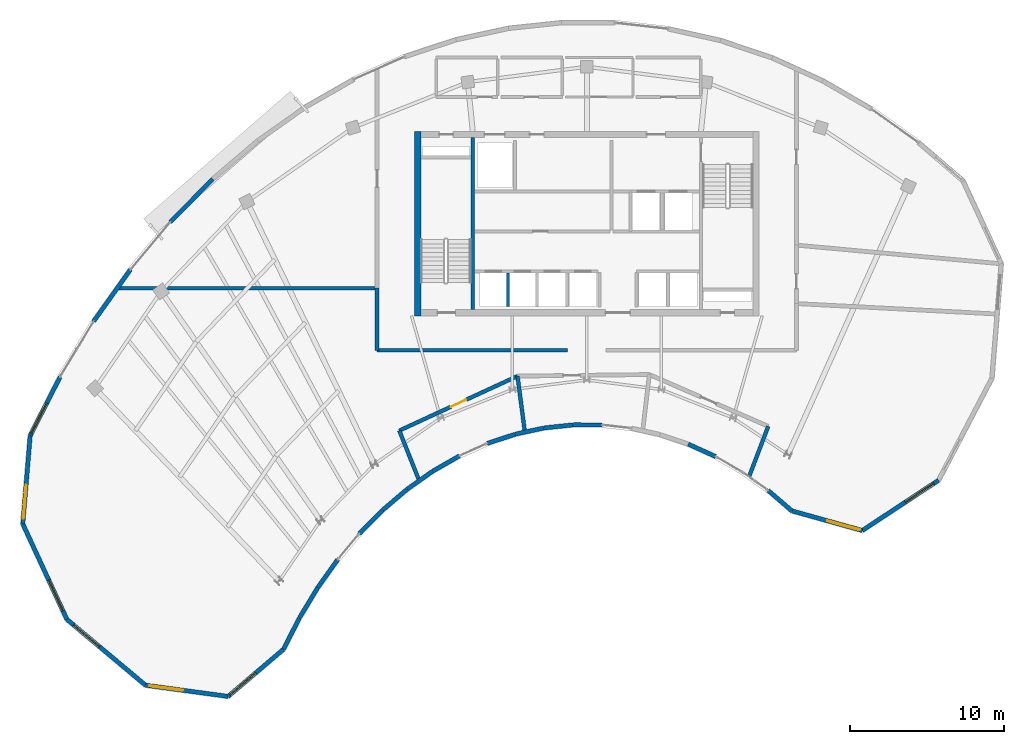
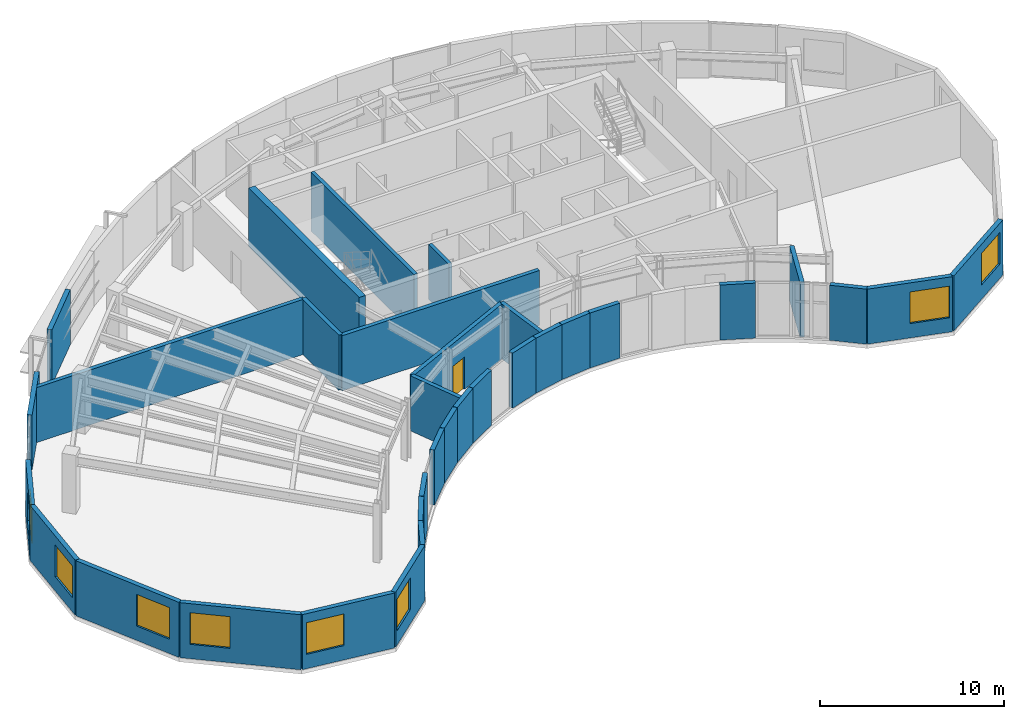
# One storey, part 8 of 12: 33 walls, 8 windows, 1 door, 9 openings.
"""IFC4 building model written with IfcOpenShell, lengths in metres."""

from ifc_helpers import new_model, si_unit, direction, frame, frame_2d, origin, place, context, subcontext, project, spatial, rectangle, extrude, source, transform, mapped, material, layer, layer_set, type_object, type_shapes, element, fill, save


model = new_model("IFC4")

# Units and contexts
model_context = context("Model", 3, precision=1e-05, world=origin(), true_north=direction((0.0, 1.0)))
body_context = subcontext(model_context, "Body", "Model", "MODEL_VIEW")
ifc_project = project(units=[si_unit("LENGTHUNIT", "METRE"), si_unit("AREAUNIT", "SQUARE_METRE"), si_unit("VOLUMEUNIT", "CUBIC_METRE"), si_unit("PLANEANGLEUNIT", "RADIAN"), si_unit("MASSUNIT", "GRAM", prefix="KILO")], contexts=[model_context])

# Site, building, storey
site_placement = place(None, origin())
site = spatial("IfcSite", under=ifc_project, at=site_placement, CompositionType="ELEMENT")
building_placement = place(site_placement, origin())
building = spatial("IfcBuilding", under=site, at=building_placement, Name="Breltana Convention Tower", CompositionType="ELEMENT")
storey_placement = place(building_placement, frame((0.0, 0.0, 260.10009765625)))
storey = spatial("IfcBuildingStorey", under=building, at=storey_placement, Name="L63", CompositionType="ELEMENT", Elevation=260.10009765625)

# Walls
ifc_material_1 = material(Name="Concrete C50/60", Category="concrete")
ifc_layer_1 = layer(ifc_material_1, 0.39990234375, Name="Concrete C50/60")
ifc_layer_set_1 = layer_set([ifc_layer_1], Name="Concrete C50/60")
wall_type_1 = type_object("IfcWallType", Name="SW-CORE-400", PredefinedType="SHEAR", material=ifc_layer_set_1)
shared_shape_1 = source(origin(), body_context, "Body", "SweptSolid", [
    extrude(rectangle(XDim=12.0, YDim=0.39990234375, at=frame_2d((6.0, 0.0))), origin(), (0.0, 0.0, 1.0), 3.89990234375),
])
wall_1_placement = place(storey_placement, frame((37.0, 60.199951171875, 0.0), z_axis=(0.0, 0.0, 1.0), x_axis=(0.0, 1.0, 0.0)))
element("IfcWall", 1, at=wall_1_placement, inside=storey, type_object=wall_type_1, Name="L63 West Core Shear Wall", PredefinedType="SHEAR", context=body_context, shape_type="MappedRepresentation", body=[
    mapped(shared_shape_1, transform((0.0, 0.0, 0.0), scale=1.0)),
])
shared_shape_2 = source(origin(), body_context, "Body", "SweptSolid", [
    extrude(rectangle(XDim=11.199951171875, YDim=0.219970703125, at=frame_2d((5.60009765625, 0.0))), origin(), (0.0, 0.0, 1.0), 3.89990234375),
])
wall_2_placement = place(storey_placement, frame((40.580078125, 60.60009765625, 0.0), z_axis=(0.0, 0.0, 1.0), x_axis=(0.0, 1.0, 0.0)))
element("IfcWall", 2, at=wall_2_placement, inside=storey, type_object=wall_type_1, Name="L63 Core West Stair Spine Wall", PredefinedType="SHEAR", context=body_context, shape_type="MappedRepresentation", body=[
    mapped(shared_shape_2, transform((0.0, 0.0, 0.0), scale=1.0)),
])

# Wall, opening, window
ifc_material_2 = material(Name="Limestone Buff Insulated Wall", Category="masonry")
ifc_layer_2 = layer(ifc_material_2, 0.280029296875, Name="Limestone Buff Insulated Wall")
ifc_layer_set_2 = layer_set([ifc_layer_2], Name="Limestone Buff Insulated Wall")
wall_type_2 = type_object("IfcWallType", Name="WL-EXT-NOSE-280", PredefinedType="SOLIDWALL", material=ifc_layer_set_2)
shared_shape_3 = source(origin(), body_context, "Body", "SweptSolid", [
    extrude(rectangle(XDim=5.9423828125, YDim=0.280029296875, at=frame_2d((2.97119140625, 0.0))), origin(), (0.0, 0.0, 1.0), 3.64990234375),
])
wall_3_placement = place(storey_placement, frame((70.87158203125, 49.513427734375, 0.0), z_axis=(0.0, 0.0, 1.0), x_axis=(-0.834871099304, -0.550445499162, 0.0)))
wall_3 = element("IfcWall", 3, at=wall_3_placement, inside=storey, type_object=wall_type_2, Name="L63 curved limestone nose wall E4", PredefinedType="SOLIDWALL", context=body_context, shape_type="MappedRepresentation", body=[
    mapped(shared_shape_3, transform((0.0, 0.0, 0.0), scale=1.0)),
])
opening_1_placement = place(wall_3_placement, frame((0.385498046875, 0.0, 0.949951171875)))
opening_1 = element("IfcOpeningElement", 4, at=opening_1_placement, cuts=wall_3, Name="Opening W-03", PredefinedType="OPENING", context=body_context, shape_type="SweptSolid", body=[
    extrude(rectangle(XDim=2.199951171875, YDim=2.10009765625, at=frame_2d((1.10009765625, 1.050048828125))), frame((0.0, 0.14990234375, 0.0), z_axis=(0.0, -1.0, 0.0), x_axis=(1.0, 0.0, 0.0)), (0.0, 0.0, 1.0), 0.300048828125),
])
ifc_material_3 = material(Name="Glass Low-E Insulated Window", Category="glass")
window_type = type_object("IfcWindowType", Name="WN-NOSE-2200X2100", PartitioningType="TRIPLE_PANEL_VERTICAL", PredefinedType="WINDOW", material=ifc_material_3)
shared_shape_4 = source(origin(), body_context, "Body", "SweptSolid", [
    extrude(rectangle(XDim=2.199951171875, YDim=2.10009765625, at=frame_2d((1.10009765625, 1.050048828125))), frame((0.0, 0.030029296875, 0.0), z_axis=(0.0, -1.0, 0.0), x_axis=(1.0, 0.0, 0.0)), (0.0, 0.0, 1.0), 0.06005859375),
])
type_shapes(window_type, [shared_shape_4])
window_1_placement = place(opening_1_placement, origin())
window_1 = element("IfcWindow", 5, at=window_1_placement, inside=storey, type_object=window_type, Name="L63 nose window E4", OverallHeight=2.10009765625, OverallWidth=2.199951171875, PartitioningType="TRIPLE_PANEL_VERTICAL", PredefinedType="WINDOW", context=body_context, shape_type="MappedRepresentation", body=[
    mapped(shared_shape_4, transform((0.0, 0.0, 0.0), scale=1.0)),
])
fill(opening_1, window_1)

shared_shape_5 = source(origin(), body_context, "Body", "SweptSolid", [
    extrude(rectangle(XDim=4.74853515625, YDim=0.280029296875, at=frame_2d((2.374267578125, 0.0))), origin(), (0.0, 0.0, 1.0), 3.64990234375),
])
wall_4_placement = place(storey_placement, frame((65.910400390625, 46.242431640625, 0.0), z_axis=(0.0, 0.0, 1.0), x_axis=(-0.963210849911, 0.268746829961, 0.0)))
wall_4 = element("IfcWall", 6, at=wall_4_placement, inside=storey, type_object=wall_type_2, Name="L63 curved limestone nose wall E5", PredefinedType="SOLIDWALL", context=body_context, shape_type="MappedRepresentation", body=[
    mapped(shared_shape_5, transform((0.0, 0.0, 0.0), scale=1.0)),
])
opening_2_placement = place(wall_4_placement, frame((0.159912109375, 0.0, 0.949951171875)))
opening_2 = element("IfcOpeningElement", 7, at=opening_2_placement, cuts=wall_4, Name="Opening W-03", PredefinedType="OPENING", context=body_context, shape_type="SweptSolid", body=[
    extrude(rectangle(XDim=2.199951171875, YDim=2.10009765625, at=frame_2d((1.10009765625, 1.050048828125))), frame((0.0, 0.14990234375, 0.0), z_axis=(0.0, -1.0, 0.0), x_axis=(1.0, 0.0, 0.0)), (0.0, 0.0, 1.0), 0.300048828125),
])
window_2_placement = place(opening_2_placement, origin())
window_2 = element("IfcWindow", 8, at=window_2_placement, inside=storey, type_object=window_type, Name="L63 nose window E5", OverallHeight=2.10009765625, OverallWidth=2.199951171875, PartitioningType="TRIPLE_PANEL_VERTICAL", PredefinedType="WINDOW", context=body_context, shape_type="MappedRepresentation", body=[
    mapped(shared_shape_4, transform((0.0, 0.0, 0.0), scale=1.0)),
])
fill(opening_2, window_2)

# Walls
shared_shape_6 = source(origin(), body_context, "Body", "SweptSolid", [
    extrude(rectangle(XDim=2.040283203125, YDim=0.280029296875, at=frame_2d((1.02001953125, 0.0))), origin(), (0.0, 0.0, 1.0), 3.64990234375),
])
wall_5_placement = place(storey_placement, frame((61.336669921875, 47.5185546875, 0.0), z_axis=(0.0, 0.0, 1.0), x_axis=(-0.758402847119, 0.651786101019, 0.0)))
element("IfcWall", 9, at=wall_5_placement, inside=storey, type_object=wall_type_2, Name="L63 curved limestone nose wall E6", PredefinedType="SOLIDWALL", context=body_context, shape_type="MappedRepresentation", body=[
    mapped(shared_shape_6, transform((0.0, 0.0, 0.0), scale=1.0)),
])
shared_shape_7 = source(origin(), body_context, "Body", "SweptSolid", [
    extrude(rectangle(XDim=1.94970703125, YDim=0.280029296875, at=frame_2d((0.974853515625, 0.0))), origin(), (0.0, 0.0, 1.0), 3.64990234375),
])
wall_6_placement = place(storey_placement, frame((56.37158203125, 51.05224609375, 0.0), z_axis=(0.0, 0.0, 1.0), x_axis=(-0.910507945155, 0.413491574048, 0.0)))
element("IfcWall", 10, at=wall_6_placement, inside=storey, type_object=wall_type_2, Name="L63 curved limestone nose wall E7", PredefinedType="SOLIDWALL", context=body_context, shape_type="MappedRepresentation", body=[
    mapped(shared_shape_7, transform((0.0, 0.0, 0.0), scale=1.0)),
])
shared_shape_8 = source(origin(), body_context, "Body", "SweptSolid", [
    extrude(rectangle(XDim=1.874267578125, YDim=0.280029296875, at=frame_2d((0.93701171875, 0.0))), origin(), (0.0, 0.0, 1.0), 3.64990234375),
])
wall_7_placement = place(storey_placement, frame((48.988037109375, 53.105712890625, 0.0), z_axis=(0.0, 0.0, 1.0), x_axis=(-0.999995893899, 0.002865690982, 0.0)))
element("IfcWall", 11, at=wall_7_placement, inside=storey, type_object=wall_type_2, Name="L63 curved limestone nose wall E10", PredefinedType="SOLIDWALL", context=body_context, shape_type="MappedRepresentation", body=[
    mapped(shared_shape_8, transform((0.0, 0.0, 0.0), scale=1.0)),
])
shared_shape_9 = source(origin(), body_context, "Body", "SweptSolid", [
    extrude(rectangle(XDim=1.87890625, YDim=0.280029296875, at=frame_2d((0.939453125, 0.0))), origin(), (0.0, 0.0, 1.0), 3.64990234375),
])
wall_8_placement = place(storey_placement, frame((47.09423828125, 53.110107421875, 0.0), z_axis=(0.0, 0.0, 1.0), x_axis=(-0.994431872813, -0.105381451568, 0.0)))
element("IfcWall", 12, at=wall_8_placement, inside=storey, type_object=wall_type_2, Name="L63 curved limestone nose wall E11", PredefinedType="SOLIDWALL", context=body_context, shape_type="MappedRepresentation", body=[
    mapped(shared_shape_9, transform((0.0, 0.0, 0.0), scale=1.0)),
])
shared_shape_10 = source(origin(), body_context, "Body", "SweptSolid", [
    extrude(rectangle(XDim=1.89306640625, YDim=0.280029296875, at=frame_2d((0.946533203125, 0.0))), origin(), (0.0, 0.0, 1.0), 3.64990234375),
])
wall_9_placement = place(storey_placement, frame((45.206787109375, 52.908935546875, 0.0), z_axis=(0.0, 0.0, 1.0), x_axis=(-0.977379595344, -0.21149261596, 0.0)))
element("IfcWall", 13, at=wall_9_placement, inside=storey, type_object=wall_type_2, Name="L63 curved limestone nose wall E12", PredefinedType="SOLIDWALL", context=body_context, shape_type="MappedRepresentation", body=[
    mapped(shared_shape_10, transform((0.0, 0.0, 0.0), scale=1.0)),
])
shared_shape_11 = source(origin(), body_context, "Body", "SweptSolid", [
    extrude(rectangle(XDim=1.916259765625, YDim=0.280029296875, at=frame_2d((0.9580078125, 0.0))), origin(), (0.0, 0.0, 1.0), 3.64990234375),
])
wall_10_placement = place(storey_placement, frame((43.338134765625, 52.50341796875, 0.0), z_axis=(0.0, 0.0, 1.0), x_axis=(-0.949697632406, -0.313168336525, 0.0)))
element("IfcWall", 14, at=wall_10_placement, inside=storey, type_object=wall_type_2, Name="L63 curved limestone nose wall E13", PredefinedType="SOLIDWALL", context=body_context, shape_type="MappedRepresentation", body=[
    mapped(shared_shape_11, transform((0.0, 0.0, 0.0), scale=1.0)),
])
shared_shape_12 = source(origin(), body_context, "Body", "SweptSolid", [
    extrude(rectangle(XDim=1.98583984375, YDim=0.280029296875, at=frame_2d((0.992919921875, 0.0))), origin(), (0.0, 0.0, 1.0), 3.64990234375),
])
wall_11_placement = place(storey_placement, frame((39.70751953125, 51.0927734375, 0.0), z_axis=(0.0, 0.0, 1.0), x_axis=(-0.867940364671, -0.496668423976, 0.0)))
element("IfcWall", 15, at=wall_11_placement, inside=storey, type_object=wall_type_2, Name="L63 curved limestone nose wall E14", PredefinedType="SOLIDWALL", context=body_context, shape_type="MappedRepresentation", body=[
    mapped(shared_shape_12, transform((0.0, 0.0, 0.0), scale=1.0)),
])
shared_shape_13 = source(origin(), body_context, "Body", "SweptSolid", [
    extrude(rectangle(XDim=2.029541015625, YDim=0.280029296875, at=frame_2d((1.0146484375, 0.0))), origin(), (0.0, 0.0, 1.0), 3.64990234375),
])
wall_12_placement = place(storey_placement, frame((37.969482421875, 50.097412109375, 0.0), z_axis=(0.0, 0.0, 1.0), x_axis=(-0.816987864272, -0.576654861796, 0.0)))
element("IfcWall", 16, at=wall_12_placement, inside=storey, type_object=wall_type_2, Name="L63 curved limestone nose wall E15", PredefinedType="SOLIDWALL", context=body_context, shape_type="MappedRepresentation", body=[
    mapped(shared_shape_13, transform((0.0, 0.0, 0.0), scale=1.0)),
])
shared_shape_14 = source(origin(), body_context, "Body", "SweptSolid", [
    extrude(rectangle(XDim=2.07763671875, YDim=0.280029296875, at=frame_2d((1.038818359375, 0.0))), origin(), (0.0, 0.0, 1.0), 3.64990234375),
])
wall_13_placement = place(storey_placement, frame((36.29833984375, 48.9169921875, 0.0), z_axis=(0.0, 0.0, 1.0), x_axis=(-0.761475215802, -0.648194026291, 0.0)))
element("IfcWall", 17, at=wall_13_placement, inside=storey, type_object=wall_type_2, Name="L63 curved limestone nose wall E16", PredefinedType="SOLIDWALL", context=body_context, shape_type="MappedRepresentation", body=[
    mapped(shared_shape_14, transform((0.0, 0.0, 0.0), scale=1.0)),
])
shared_shape_15 = source(origin(), body_context, "Body", "SweptSolid", [
    extrude(rectangle(XDim=2.128173828125, YDim=0.280029296875, at=frame_2d((1.06396484375, 0.0))), origin(), (0.0, 0.0, 1.0), 3.64990234375),
])
wall_14_placement = place(storey_placement, frame((34.705078125, 47.559814453125, 0.0), z_axis=(0.0, 0.0, 1.0), x_axis=(-0.702676164983, -0.7115098082, 0.0)))
element("IfcWall", 18, at=wall_14_placement, inside=storey, type_object=wall_type_2, Name="L63 curved limestone nose wall E17", PredefinedType="SOLIDWALL", context=body_context, shape_type="MappedRepresentation", body=[
    mapped(shared_shape_15, transform((0.0, 0.0, 0.0), scale=1.0)),
])
shared_shape_16 = source(origin(), body_context, "Body", "SweptSolid", [
    extrude(rectangle(XDim=2.231201171875, YDim=0.280029296875, at=frame_2d((1.11572265625, 0.0))), origin(), (0.0, 0.0, 1.0), 3.64990234375),
])
wall_15_placement = place(storey_placement, frame((31.792236328125, 44.35205078125, 0.0), z_axis=(0.0, 0.0, 1.0), x_axis=(-0.579622296598, -0.814885263879, 0.0)))
element("IfcWall", 19, at=wall_15_placement, inside=storey, type_object=wall_type_2, Name="L63 curved limestone nose wall E18", PredefinedType="SOLIDWALL", context=body_context, shape_type="MappedRepresentation", body=[
    mapped(shared_shape_16, transform((0.0, 0.0, 0.0), scale=1.0)),
])
shared_shape_17 = source(origin(), body_context, "Body", "SweptSolid", [
    extrude(rectangle(XDim=2.28076171875, YDim=0.280029296875, at=frame_2d((1.140380859375, 0.0))), origin(), (0.0, 0.0, 1.0), 3.64990234375),
])
wall_16_placement = place(storey_placement, frame((30.49169921875, 42.522705078125, 0.0), z_axis=(0.0, 0.0, 1.0), x_axis=(-0.516917942662, -0.856034952881, 0.0)))
element("IfcWall", 20, at=wall_16_placement, inside=storey, type_object=wall_type_2, Name="L63 curved limestone nose wall E19", PredefinedType="SOLIDWALL", context=body_context, shape_type="MappedRepresentation", body=[
    mapped(shared_shape_17, transform((0.0, 0.0, 0.0), scale=1.0)),
])
shared_shape_18 = source(origin(), body_context, "Body", "SweptSolid", [
    extrude(rectangle(XDim=2.291748046875, YDim=0.280029296875, at=frame_2d((1.14599609375, 0.0))), origin(), (0.0, 0.0, 1.0), 3.64990234375),
])
wall_17_placement = place(storey_placement, frame((29.306396484375, 40.558837890625, 0.0), z_axis=(0.0, 0.0, 1.0), x_axis=(-0.453933760778, -0.891035431858, 0.0)))
element("IfcWall", 21, at=wall_17_placement, inside=storey, type_object=wall_type_2, Name="L63 curved limestone nose wall W1", PredefinedType="SOLIDWALL", context=body_context, shape_type="MappedRepresentation", body=[
    mapped(shared_shape_18, transform((0.0, 0.0, 0.0), scale=1.0)),
])

# Wall, opening, window
shared_shape_19 = source(origin(), body_context, "Body", "SweptSolid", [
    extrude(rectangle(XDim=4.731689453125, YDim=0.280029296875, at=frame_2d((2.36572265625, 0.0))), origin(), (0.0, 0.0, 1.0), 3.64990234375),
])
wall_18_placement = place(storey_placement, frame((28.26611328125, 38.516845703125, 0.0), z_axis=(0.0, 0.0, 1.0), x_axis=(-0.761912583238, -0.647679871158, 0.0)))
wall_18 = element("IfcWall", 22, at=wall_18_placement, inside=storey, type_object=wall_type_2, Name="L63 curved limestone nose wall W2", PredefinedType="SOLIDWALL", context=body_context, shape_type="MappedRepresentation", body=[
    mapped(shared_shape_19, transform((0.0, 0.0, 0.0), scale=1.0)),
])
opening_3_placement = place(wall_18_placement, frame((2.371826171875, 0.0, 0.949951171875)))
opening_3 = element("IfcOpeningElement", 23, at=opening_3_placement, cuts=wall_18, Name="Opening W-03", PredefinedType="OPENING", context=body_context, shape_type="SweptSolid", body=[
    extrude(rectangle(XDim=2.199951171875, YDim=2.10009765625, at=frame_2d((1.10009765625, 1.050048828125))), frame((0.0, 0.14990234375, 0.0), z_axis=(0.0, -1.0, 0.0), x_axis=(1.0, 0.0, 0.0)), (0.0, 0.0, 1.0), 0.300048828125),
])
window_3_placement = place(opening_3_placement, origin())
window_3 = element("IfcWindow", 24, at=window_3_placement, inside=storey, type_object=window_type, Name="L63 nose window W2", OverallHeight=2.10009765625, OverallWidth=2.199951171875, PartitioningType="TRIPLE_PANEL_VERTICAL", PredefinedType="WINDOW", context=body_context, shape_type="MappedRepresentation", body=[
    mapped(shared_shape_4, transform((0.0, 0.0, 0.0), scale=1.0)),
])
fill(opening_3, window_3)

shared_shape_20 = source(origin(), body_context, "Body", "SweptSolid", [
    extrude(rectangle(XDim=5.40771484375, YDim=0.280029296875, at=frame_2d((2.703857421875, 0.0))), origin(), (0.0, 0.0, 1.0), 3.64990234375),
])
wall_19_placement = place(storey_placement, frame((24.660888671875, 35.4521484375, 0.0), z_axis=(0.0, 0.0, 1.0), x_axis=(-0.990932903229, 0.134357661853, 0.0)))
wall_19 = element("IfcWall", 25, at=wall_19_placement, inside=storey, type_object=wall_type_2, Name="L63 curved limestone nose wall W3", PredefinedType="SOLIDWALL", context=body_context, shape_type="MappedRepresentation", body=[
    mapped(shared_shape_20, transform((0.0, 0.0, 0.0), scale=1.0)),
])
opening_4_placement = place(wall_19_placement, frame((2.955810546875, 0.0, 0.949951171875)))
opening_4 = element("IfcOpeningElement", 26, at=opening_4_placement, cuts=wall_19, Name="Opening W-03", PredefinedType="OPENING", context=body_context, shape_type="SweptSolid", body=[
    extrude(rectangle(XDim=2.199951171875, YDim=2.10009765625, at=frame_2d((1.10009765625, 1.050048828125))), frame((0.0, 0.14990234375, 0.0), z_axis=(0.0, -1.0, 0.0), x_axis=(1.0, 0.0, 0.0)), (0.0, 0.0, 1.0), 0.300048828125),
])
window_4_placement = place(opening_4_placement, origin())
window_4 = element("IfcWindow", 27, at=window_4_placement, inside=storey, type_object=window_type, Name="L63 nose window W3", OverallHeight=2.10009765625, OverallWidth=2.199951171875, PartitioningType="TRIPLE_PANEL_VERTICAL", PredefinedType="WINDOW", context=body_context, shape_type="MappedRepresentation", body=[
    mapped(shared_shape_4, transform((0.0, 0.0, 0.0), scale=1.0)),
])
fill(opening_4, window_4)

shared_shape_21 = source(origin(), body_context, "Body", "SweptSolid", [
    extrude(rectangle(XDim=6.67529296875, YDim=0.280029296875, at=frame_2d((3.337646484375, 0.0))), origin(), (0.0, 0.0, 1.0), 3.64990234375),
])
wall_20_placement = place(storey_placement, frame((19.30224609375, 36.1787109375, 0.0), z_axis=(0.0, 0.0, 1.0), x_axis=(-0.766726273546, 0.641974159491, 0.0)))
wall_20 = element("IfcWall", 28, at=wall_20_placement, inside=storey, type_object=wall_type_2, Name="L63 curved limestone nose wall W4", PredefinedType="SOLIDWALL", context=body_context, shape_type="MappedRepresentation", body=[
    mapped(shared_shape_21, transform((0.0, 0.0, 0.0), scale=1.0)),
])
opening_5_placement = place(wall_20_placement, frame((3.906494140625, 0.0, 0.949951171875)))
opening_5 = element("IfcOpeningElement", 29, at=opening_5_placement, cuts=wall_20, Name="Opening W-03", PredefinedType="OPENING", context=body_context, shape_type="SweptSolid", body=[
    extrude(rectangle(XDim=2.199951171875, YDim=2.10009765625, at=frame_2d((1.10009765625, 1.050048828125))), frame((0.0, 0.14990234375, 0.0), z_axis=(0.0, -1.0, 0.0), x_axis=(1.0, 0.0, 0.0)), (0.0, 0.0, 1.0), 0.300048828125),
])
window_5_placement = place(opening_5_placement, origin())
window_5 = element("IfcWindow", 30, at=window_5_placement, inside=storey, type_object=window_type, Name="L63 nose window W4", OverallHeight=2.10009765625, OverallWidth=2.199951171875, PartitioningType="TRIPLE_PANEL_VERTICAL", PredefinedType="WINDOW", context=body_context, shape_type="MappedRepresentation", body=[
    mapped(shared_shape_4, transform((0.0, 0.0, 0.0), scale=1.0)),
])
fill(opening_5, window_5)

shared_shape_22 = source(origin(), body_context, "Body", "SweptSolid", [
    extrude(rectangle(XDim=6.8369140625, YDim=0.280029296875, at=frame_2d((3.41845703125, 0.0))), origin(), (0.0, 0.0, 1.0), 3.64990234375),
])
wall_21_placement = place(storey_placement, frame((14.18408203125, 40.464111328125, 0.0), z_axis=(0.0, 0.0, 1.0), x_axis=(-0.419621957862, 0.907698965781, 0.0)))
wall_21 = element("IfcWall", 31, at=wall_21_placement, inside=storey, type_object=wall_type_2, Name="L63 curved limestone nose wall W5", PredefinedType="SOLIDWALL", context=body_context, shape_type="MappedRepresentation", body=[
    mapped(shared_shape_22, transform((0.0, 0.0, 0.0), scale=1.0)),
])
opening_6_placement = place(wall_21_placement, frame((0.609130859375, 0.0, 0.949951171875)))
opening_6 = element("IfcOpeningElement", 32, at=opening_6_placement, cuts=wall_21, Name="Opening W-03", PredefinedType="OPENING", context=body_context, shape_type="SweptSolid", body=[
    extrude(rectangle(XDim=2.199951171875, YDim=2.10009765625, at=frame_2d((1.10009765625, 1.050048828125))), frame((0.0, 0.14990234375, 0.0), z_axis=(0.0, -1.0, 0.0), x_axis=(1.0, 0.0, 0.0)), (0.0, 0.0, 1.0), 0.300048828125),
])
window_6_placement = place(opening_6_placement, origin())
window_6 = element("IfcWindow", 33, at=window_6_placement, inside=storey, type_object=window_type, Name="L63 nose window W5", OverallHeight=2.10009765625, OverallWidth=2.199951171875, PartitioningType="TRIPLE_PANEL_VERTICAL", PredefinedType="WINDOW", context=body_context, shape_type="MappedRepresentation", body=[
    mapped(shared_shape_4, transform((0.0, 0.0, 0.0), scale=1.0)),
])
fill(opening_6, window_6)

shared_shape_23 = source(origin(), body_context, "Body", "SweptSolid", [
    extrude(rectangle(XDim=5.7626953125, YDim=0.280029296875, at=frame_2d((2.88134765625, 0.0))), origin(), (0.0, 0.0, 1.0), 3.64990234375),
])
wall_22_placement = place(storey_placement, frame((11.315185546875, 46.669921875, 0.0), z_axis=(0.0, 0.0, 1.0), x_axis=(0.083290906041, 0.996525275631, 0.0)))
wall_22 = element("IfcWall", 34, at=wall_22_placement, inside=storey, type_object=wall_type_2, Name="L63 curved limestone nose wall W6", PredefinedType="SOLIDWALL", context=body_context, shape_type="MappedRepresentation", body=[
    mapped(shared_shape_23, transform((0.0, 0.0, 0.0), scale=1.0)),
])
opening_7_placement = place(wall_22_placement, frame((0.3408203125, 0.0, 0.949951171875)))
opening_7 = element("IfcOpeningElement", 35, at=opening_7_placement, cuts=wall_22, Name="Opening W-03", PredefinedType="OPENING", context=body_context, shape_type="SweptSolid", body=[
    extrude(rectangle(XDim=2.199951171875, YDim=2.10009765625, at=frame_2d((1.10009765625, 1.050048828125))), frame((0.0, 0.14990234375, 0.0), z_axis=(0.0, -1.0, 0.0), x_axis=(1.0, 0.0, 0.0)), (0.0, 0.0, 1.0), 0.300048828125),
])
window_7_placement = place(opening_7_placement, origin())
window_7 = element("IfcWindow", 36, at=window_7_placement, inside=storey, type_object=window_type, Name="L63 nose window W6", OverallHeight=2.10009765625, OverallWidth=2.199951171875, PartitioningType="TRIPLE_PANEL_VERTICAL", PredefinedType="WINDOW", context=body_context, shape_type="MappedRepresentation", body=[
    mapped(shared_shape_4, transform((0.0, 0.0, 0.0), scale=1.0)),
])
fill(opening_7, window_7)

shared_shape_24 = source(origin(), body_context, "Body", "SweptSolid", [
    extrude(rectangle(XDim=4.281494140625, YDim=0.280029296875, at=frame_2d((2.140625, 0.0))), origin(), (0.0, 0.0, 1.0), 3.64990234375),
])
wall_23_placement = place(storey_placement, frame((11.795166015625, 52.41259765625, 0.0), z_axis=(0.0, 0.0, 1.0), x_axis=(0.454020597637, 0.890991187903, 0.0)))
wall_23 = element("IfcWall", 37, at=wall_23_placement, inside=storey, type_object=wall_type_2, Name="L63 curved limestone nose wall W7", PredefinedType="SOLIDWALL", context=body_context, shape_type="MappedRepresentation", body=[
    mapped(shared_shape_24, transform((0.0, 0.0, 0.0), scale=1.0)),
])
opening_8_placement = place(wall_23_placement, frame((0.159912109375, 0.0, 0.949951171875)))
opening_8 = element("IfcOpeningElement", 38, at=opening_8_placement, cuts=wall_23, Name="Opening W-03", PredefinedType="OPENING", context=body_context, shape_type="SweptSolid", body=[
    extrude(rectangle(XDim=2.199951171875, YDim=2.10009765625, at=frame_2d((1.10009765625, 1.050048828125))), frame((0.0, 0.14990234375, 0.0), z_axis=(0.0, -1.0, 0.0), x_axis=(1.0, 0.0, 0.0)), (0.0, 0.0, 1.0), 0.300048828125),
])
window_8_placement = place(opening_8_placement, origin())
window_8 = element("IfcWindow", 39, at=window_8_placement, inside=storey, type_object=window_type, Name="L63 nose window W7", OverallHeight=2.10009765625, OverallWidth=2.199951171875, PartitioningType="TRIPLE_PANEL_VERTICAL", PredefinedType="WINDOW", context=body_context, shape_type="MappedRepresentation", body=[
    mapped(shared_shape_4, transform((0.0, 0.0, 0.0), scale=1.0)),
])
fill(opening_8, window_8)

# Walls
shared_shape_25 = source(origin(), body_context, "Body", "SweptSolid", [
    extrude(rectangle(XDim=4.12939453125, YDim=0.280029296875, at=frame_2d((2.064697265625, 0.0))), origin(), (0.0, 0.0, 1.0), 3.64990234375),
])
wall_24_placement = place(storey_placement, frame((15.92138671875, 59.842041015625, 0.0), z_axis=(0.0, 0.0, 1.0), x_axis=(0.57959272029, 0.814906300495, 0.0)))
element("IfcWall", 40, at=wall_24_placement, inside=storey, type_object=wall_type_2, Name="L63 curved limestone nose wall E20", PredefinedType="SOLIDWALL", context=body_context, shape_type="MappedRepresentation", body=[
    mapped(shared_shape_25, transform((0.0, 0.0, 0.0), scale=1.0)),
])
shared_shape_26 = source(origin(), body_context, "Body", "SweptSolid", [
    extrude(rectangle(XDim=3.936767578125, YDim=0.280029296875, at=frame_2d((1.96826171875, 0.0))), origin(), (0.0, 0.0, 1.0), 3.64990234375),
])
wall_25_placement = place(storey_placement, frame((20.9033203125, 66.30029296875, 0.0), z_axis=(0.0, 0.0, 1.0), x_axis=(0.702690019653, 0.711496125274, 0.0)))
element("IfcWall", 41, at=wall_25_placement, inside=storey, type_object=wall_type_2, Name="L63 curved limestone nose wall E21", PredefinedType="SOLIDWALL", context=body_context, shape_type="MappedRepresentation", body=[
    mapped(shared_shape_26, transform((0.0, 0.0, 0.0), scale=1.0)),
])
ifc_material_4 = material(Name="Autoclaved Aerated Concrete Block", Category="concrete")
ifc_layer_3 = layer(ifc_material_4, 0.199951171875, Name="Autoclaved Aerated Concrete Block")
ifc_layer_set_3 = layer_set([ifc_layer_3], Name="Autoclaved Aerated Concrete Block")
wall_type_3 = type_object("IfcWallType", Name="WL-SHAFT-200", PredefinedType="SOLIDWALL", material=ifc_layer_set_3)
shared_shape_27 = source(origin(), body_context, "Body", "SweptSolid", [
    extrude(rectangle(XDim=2.199951171875, YDim=0.199951171875, at=frame_2d((1.10009765625, 0.0))), origin(), (0.0, 0.0, 1.0), 3.64990234375),
])
wall_26_placement = place(storey_placement, frame((42.8701171875, 60.800048828125, 0.0), z_axis=(0.0, 0.0, 1.0), x_axis=(0.0, 1.0, 0.0)))
element("IfcWall", 42, at=wall_26_placement, inside=storey, type_object=wall_type_3, Name="L63 interior partition W-L63-SH-S-DIV1", PredefinedType="SOLIDWALL", context=body_context, shape_type="MappedRepresentation", body=[
    mapped(shared_shape_27, transform((0.0, 0.0, 0.0), scale=1.0)),
])

# Wall, opening, door
ifc_material_5 = material(Name="Gypsum Acoustic Double Stud Wall")
ifc_layer_4 = layer(ifc_material_5, 0.25, Name="Gypsum Acoustic Double Stud Wall")
ifc_layer_set_4 = layer_set([ifc_layer_4], Name="Gypsum Acoustic Double Stud Wall")
wall_type_4 = type_object("IfcWallType", Name="WL-ACOUSTIC-250", PredefinedType="PARTITIONING", material=ifc_layer_set_4)
shared_shape_28 = source(origin(), body_context, "Body", "SweptSolid", [
    extrude(rectangle(XDim=8.464111328125, YDim=0.25, at=frame_2d((4.23193359375, 0.0))), origin(), (0.0, 0.0, 1.0), 3.64990234375),
])
wall_27_placement = place(storey_placement, frame((35.802978515625, 52.73828125, 0.0), z_axis=(0.0, 0.0, 1.0), x_axis=(0.90801678306, 0.418933791524, 0.0)))
wall_27 = element("IfcWall", 43, at=wall_27_placement, inside=storey, type_object=wall_type_4, Name="L63 interior partition W-L63-ES1-COR", PredefinedType="PARTITIONING", context=body_context, shape_type="MappedRepresentation", body=[
    mapped(shared_shape_28, transform((0.0, 0.0, 0.0), scale=1.0)),
])
opening_9_placement = place(wall_27_placement, frame((3.68212890625, 0.0, 0.0)))
opening_9 = element("IfcOpeningElement", 44, at=opening_9_placement, cuts=wall_27, Name="Opening D-12", PredefinedType="OPENING", context=body_context, shape_type="SweptSolid", body=[
    extrude(rectangle(XDim=1.10009765625, YDim=2.14990234375, at=frame_2d((0.550048828125, 1.074951171875))), frame((0.0, 0.135009765625, 0.0), z_axis=(0.0, -1.0, 0.0), x_axis=(1.0, 0.0, 0.0)), (0.0, 0.0, 1.0), 0.27001953125),
])
ifc_material_6 = material(Name="Timber Oak Acoustic Door", Category="wood")
door_type = type_object("IfcDoorType", Name="DR-INT-1100", OperationType="NOTDEFINED", PredefinedType="DOOR", material=ifc_material_6)
shared_shape_29 = source(origin(), body_context, "Body", "SweptSolid", [
    extrude(rectangle(XDim=1.10009765625, YDim=2.14990234375, at=frame_2d((0.550048828125, 1.074951171875))), frame((0.0, 0.02490234375, 0.0), z_axis=(0.0, -1.0, 0.0), x_axis=(1.0, 0.0, 0.0)), (0.0, 0.0, 1.0), 0.050048828125),
])
type_shapes(door_type, [shared_shape_29])
door_placement = place(opening_9_placement, origin())
door = element("IfcDoor", 45, at=door_placement, inside=storey, type_object=door_type, Name="L63 interior door D-L63-ES1", OperationType="SINGLE_SWING_LEFT", OverallHeight=2.14990234375, OverallWidth=1.10009765625, PredefinedType="DOOR", context=body_context, shape_type="MappedRepresentation", body=[
    mapped(shared_shape_29, transform((0.0, 0.0, 0.0), scale=1.0)),
])
fill(opening_9, door)

# Walls
shared_shape_30 = source(origin(), body_context, "Body", "SweptSolid", [
    extrude(rectangle(XDim=3.49462890625, YDim=0.25, at=frame_2d((1.747314453125, 0.0))), origin(), (0.0, 0.0, 1.0), 3.64990234375),
])
wall_28_placement = place(storey_placement, frame((37.092041015625, 49.489990234375, 0.0), z_axis=(0.0, 0.0, 1.0), x_axis=(-0.368859890644, 0.929485008526, 0.0)))
element("IfcWall", 46, at=wall_28_placement, inside=storey, type_object=wall_type_4, Name="L63 interior partition W-L63-ES1-RA", PredefinedType="PARTITIONING", context=body_context, shape_type="MappedRepresentation", body=[
    mapped(shared_shape_30, transform((0.0, 0.0, 0.0), scale=1.0)),
])
shared_shape_31 = source(origin(), body_context, "Body", "SweptSolid", [
    extrude(rectangle(XDim=3.66455078125, YDim=0.25, at=frame_2d((1.832275390625, 0.0))), origin(), (0.0, 0.0, 1.0), 3.64990234375),
])
wall_29_placement = place(storey_placement, frame((43.966796875, 52.65087890625, 0.0), z_axis=(0.0, 0.0, 1.0), x_axis=(-0.130509659129, 0.991447037856, 0.0)))
element("IfcWall", 47, at=wall_29_placement, inside=storey, type_object=wall_type_4, Name="L63 interior partition W-L63-ES1-RB", PredefinedType="PARTITIONING", context=body_context, shape_type="MappedRepresentation", body=[
    mapped(shared_shape_31, transform((0.0, 0.0, 0.0), scale=1.0)),
])
shared_shape_32 = source(origin(), body_context, "Body", "SweptSolid", [
    extrude(rectangle(XDim=3.501953125, YDim=0.25, at=frame_2d((1.7509765625, 0.0))), origin(), (0.0, 0.0, 1.0), 3.64990234375),
])
wall_30_placement = place(storey_placement, frame((58.550048828125, 49.74560546875, 0.0), z_axis=(0.0, 0.0, 1.0), x_axis=(0.35542122772, 0.934706237749, 0.0)))
element("IfcWall", 48, at=wall_30_placement, inside=storey, type_object=wall_type_4, Name="L63 interior partition W-L63-ES3-RB", PredefinedType="PARTITIONING", context=body_context, shape_type="MappedRepresentation", body=[
    mapped(shared_shape_32, transform((0.0, 0.0, 0.0), scale=1.0)),
])
shared_shape_33 = source(origin(), body_context, "Body", "SweptSolid", [
    extrude(rectangle(XDim=12.389892578125, YDim=0.25, at=frame_2d((6.19482421875, 0.0))), origin(), (0.0, 0.0, 1.0), 3.64990234375),
])
wall_31_placement = place(storey_placement, frame((34.360107421875, 57.9599609375, 0.0), z_axis=(0.0, 0.0, 1.0), x_axis=(1.0, 0.0, 0.0)))
element("IfcWall", 49, at=wall_31_placement, inside=storey, type_object=wall_type_4, Name="L63 interior partition W-L63-Z45-CSW", PredefinedType="PARTITIONING", context=body_context, shape_type="MappedRepresentation", body=[
    mapped(shared_shape_33, transform((0.0, 0.0, 0.0), scale=1.0)),
])
shared_shape_34 = source(origin(), body_context, "Body", "SweptSolid", [
    extrude(rectangle(XDim=16.8916015625, YDim=0.25, at=frame_2d((8.44580078125, 0.0))), origin(), (0.0, 0.0, 1.0), 3.64990234375),
])
wall_32_placement = place(storey_placement, frame((17.468505859375, 62.0, 0.0), z_axis=(0.0, 0.0, 1.0), x_axis=(1.0, 0.0, 0.0)))
element("IfcWall", 50, at=wall_32_placement, inside=storey, type_object=wall_type_4, Name="L63 interior partition W-L63-EXW1-N", PredefinedType="PARTITIONING", context=body_context, shape_type="MappedRepresentation", body=[
    mapped(shared_shape_34, transform((0.0, 0.0, 0.0), scale=1.0)),
])
shared_shape_35 = source(origin(), body_context, "Body", "SweptSolid", [
    extrude(rectangle(XDim=4.0400390625, YDim=0.25, at=frame_2d((2.02001953125, 0.0))), origin(), (0.0, 0.0, 1.0), 3.64990234375),
])
wall_33_placement = place(storey_placement, frame((34.360107421875, 57.9599609375, 0.0), z_axis=(0.0, 0.0, 1.0), x_axis=(0.0, 1.0, 0.0)))
element("IfcWall", 51, at=wall_33_placement, inside=storey, type_object=wall_type_4, Name="L63 interior partition W-L63-EXW1-ENT", PredefinedType="PARTITIONING", context=body_context, shape_type="MappedRepresentation", body=[
    mapped(shared_shape_35, transform((0.0, 0.0, 0.0), scale=1.0)),
])

save(model, "model.ifc")
